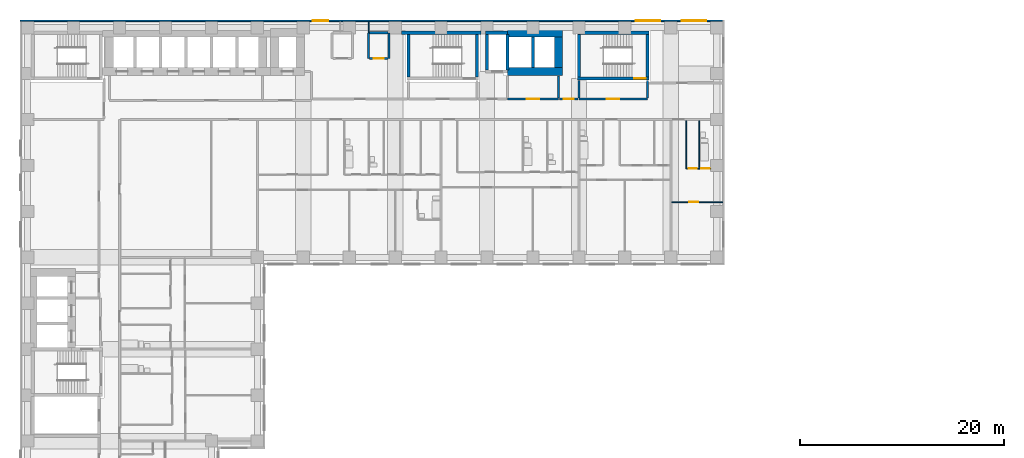
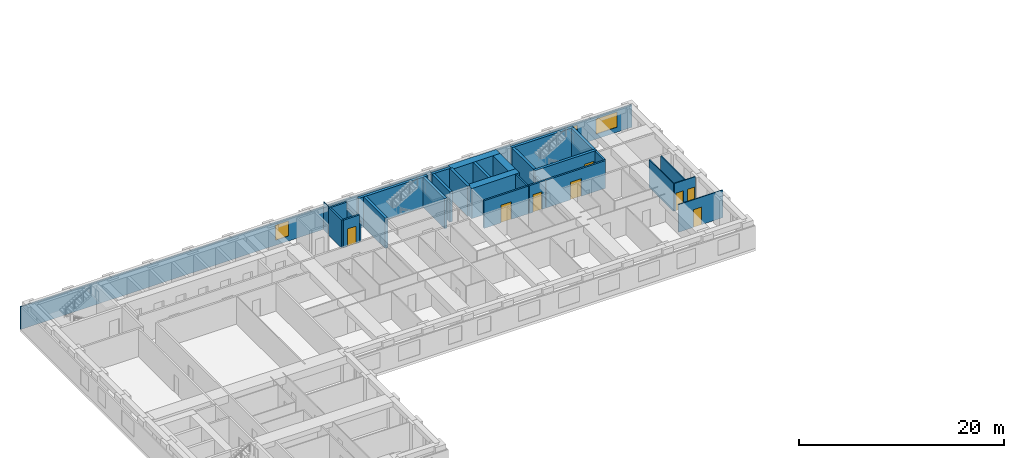
# One storey, part 10 of 14: 30 walls, 8 doors, 3 windows, 11 openings.
"""IFC4 building model written with IfcOpenShell, lengths in metres."""

from ifc_helpers import new_model, si_unit, direction, frame, frame_2d, origin, place, context, subcontext, project, spatial, rectangle, extrude, material, layer, layer_set, type_object, element, fill, save


model = new_model("IFC4")

# Units and contexts
model_context = context("Model", 3, precision=1e-05, world=origin(), true_north=direction((0.0, 1.0)))
body_context = subcontext(model_context, "Body", "Model", "MODEL_VIEW")
ifc_project = project(units=[si_unit("LENGTHUNIT", "METRE"), si_unit("AREAUNIT", "SQUARE_METRE"), si_unit("VOLUMEUNIT", "CUBIC_METRE"), si_unit("PLANEANGLEUNIT", "RADIAN"), si_unit("MASSUNIT", "GRAM", prefix="KILO")], contexts=[model_context])

# Site, building, storey
site_placement = place(None, origin())
site = spatial("IfcSite", under=ifc_project, at=site_placement, CompositionType="ELEMENT")
building_placement = place(site_placement, origin())
building = spatial("IfcBuilding", under=site, at=building_placement, Name="Firuza Court", CompositionType="ELEMENT")
storey_placement = place(building_placement, frame((0.0, 0.0, 32.60009765625)))
storey = spatial("IfcBuildingStorey", under=building, at=storey_placement, Name="L06", CompositionType="ELEMENT", Elevation=32.60009765625)

# Walls
ifc_material_1 = material(Name="Moisture-resistant gypsum board partition")
ifc_layer_1 = layer(ifc_material_1, 0.10009765625)
ifc_layer_set_1 = layer_set([ifc_layer_1], Name="Moisture-resistant gypsum board partition")
wall_type_1 = type_object("IfcWallType", Name="Bathroom partition 100", PredefinedType="PLUMBINGWALL", material=ifc_layer_set_1)
wall_1_placement = place(storey_placement, frame((65.800048828125, 44.75, 0.0), z_axis=(0.0, 0.0, 1.0), x_axis=(0.0, 1.0, 0.0)))
element("IfcWall", 1, at=wall_1_placement, inside=storey, type_object=wall_type_1, Name="Bathroom partition 100 L06", PredefinedType="PLUMBINGWALL", context=body_context, shape_type="SweptSolid", body=[
    extrude(rectangle(XDim=4.64990234375, YDim=0.10009765625, at=frame_2d((2.324951171875, 0.0))), origin(), (0.0, 0.0, 1.0), 3.2998046875),
])
ifc_material_2 = material(Name="Concrete C60/75", Category="concrete")
ifc_layer_2 = layer(ifc_material_2, 0.300048828125)
ifc_layer_set_2 = layer_set([ifc_layer_2], Name="Concrete C60/75")
wall_type_2 = type_object("IfcWallType", Name="Core wall 300 C60/75", PredefinedType="SHEAR", material=ifc_layer_set_2)
wall_2_placement = place(storey_placement, frame((36.60009765625, 58.0, -0.300048828125), z_axis=(0.0, 0.0, 1.0), x_axis=(1.0, 0.0, 0.0)))
element("IfcWall", 2, at=wall_2_placement, inside=storey, type_object=wall_type_2, Name="Core wall stair L06", PredefinedType="SHEAR", context=body_context, shape_type="SweptSolid", body=[
    extrude(rectangle(XDim=7.7998046875, YDim=0.300048828125, at=frame_2d((3.89990234375, 0.0))), origin(), (0.0, 0.0, 1.0), 3.599853515625),
])
for number, where, z_axis, x_axis, name in (
    (3, (37.300048828125, 53.64990234375, -0.300048828125), (0.0, 0.0, 1.0), (0.0, 1.0, 0.0), "Core wall stair L06"),
    (4, (44.0, 53.64990234375, -0.300048828125), (0.0, 0.0, 1.0), (0.0, 1.0, 0.0), "Core wall stair L06"),
):
    element("IfcWall", number, at=place(storey_placement, frame(where, z_axis=z_axis, x_axis=x_axis)), inside=storey, type_object=wall_type_2, Name=name, PredefinedType="SHEAR", context=body_context, shape_type="SweptSolid", body=[
        extrude(rectangle(XDim=4.2001953125, YDim=0.300048828125, at=frame_2d((2.10009765625, 0.0))), origin(), (0.0, 0.0, 1.0), 3.599853515625),
    ])
wall_3_placement = place(storey_placement, frame((44.85009765625, 58.0, -0.300048828125), z_axis=(0.0, 0.0, 1.0), x_axis=(1.0, 0.0, 0.0)))
element("IfcWall", 5, at=wall_3_placement, inside=storey, type_object=wall_type_2, Name="Core wall riser L06", PredefinedType="SHEAR", context=body_context, shape_type="SweptSolid", body=[
    extrude(rectangle(XDim=2.14990234375, YDim=0.300048828125, at=frame_2d((1.074951171875, 0.0))), origin(), (0.0, 0.0, 1.0), 3.599853515625),
])
for number, where, z_axis, x_axis, name in (
    (6, (45.0, 54.35009765625, -0.300048828125), (0.0, 0.0, 1.0), (0.0, 1.0, 0.0), "Core wall riser L06"),
    (7, (47.0, 54.35009765625, -0.300048828125), (0.0, 0.0, 1.0), (0.0, 1.0, 0.0), "Core wall lift shaft L06"),
):
    element("IfcWall", number, at=place(storey_placement, frame(where, z_axis=z_axis, x_axis=x_axis)), inside=storey, type_object=wall_type_2, Name=name, PredefinedType="SHEAR", context=body_context, shape_type="SweptSolid", body=[
        extrude(rectangle(XDim=3.5, YDim=0.300048828125, at=frame_2d((1.75, 0.0))), origin(), (0.0, 0.0, 1.0), 3.599853515625),
    ])
wall_4_placement = place(storey_placement, frame((49.5, 54.60009765625, -0.300048828125), z_axis=(0.0, 0.0, 1.0), x_axis=(0.0, 1.0, 0.0)))
element("IfcWall", 8, at=wall_4_placement, inside=storey, type_object=wall_type_2, Name="Core wall lift shaft L06", PredefinedType="SHEAR", context=body_context, shape_type="SweptSolid", body=[
    extrude(rectangle(XDim=3.0, YDim=0.300048828125, at=frame_2d((1.5, 0.0))), origin(), (0.0, 0.0, 1.0), 3.599853515625),
])

# Wall, opening, door
wall_5_placement = place(storey_placement, frame((53.85009765625, 53.5, -0.300048828125), z_axis=(0.0, 0.0, 1.0), x_axis=(1.0, 0.0, 0.0)))
wall_5 = element("IfcWall", 9, at=wall_5_placement, inside=storey, type_object=wall_type_2, Name="Core wall stair L06", PredefinedType="SHEAR", context=body_context, shape_type="SweptSolid", body=[
    extrude(rectangle(XDim=7.0, YDim=0.300048828125, at=frame_2d((3.5, 0.0))), origin(), (0.0, 0.0, 1.0), 3.599853515625),
])
opening_1_placement = place(wall_5_placement, frame((5.580078125, 0.0, 0.300048828125)))
opening_1 = element("IfcOpeningElement", 10, at=opening_1_placement, cuts=wall_5, Name="Opening D06017", PredefinedType="OPENING", context=body_context, shape_type="SweptSolid", body=[
    extrude(rectangle(XDim=1.10009765625, YDim=2.10009765625, at=frame_2d((0.550048828125, 1.050048828125))), frame((0.0, 0.162109375, 0.0), z_axis=(0.0, -1.0, 0.0), x_axis=(1.0, 0.0, 0.0)), (0.0, 0.0, 1.0), 0.323974609375),
])
ifc_material_3 = material(Name="Timber door leaf in hardwood frame", Category="wood")
door_type_1 = type_object("IfcDoorType", Name="Stair door 1100", OperationType="SINGLE_SWING_LEFT", PredefinedType="DOOR", material=ifc_material_3)
door_1_placement = place(opening_1_placement, origin())
door_1 = element("IfcDoor", 11, at=door_1_placement, inside=storey, type_object=door_type_1, Name="Stair door S4", OperationType="SINGLE_SWING_RIGHT", OverallHeight=2.10009765625, OverallWidth=1.10009765625, PredefinedType="DOOR", context=body_context, shape_type="SweptSolid", body=[
    extrude(rectangle(XDim=1.10009765625, YDim=2.10009765625, at=frame_2d((0.550048828125, 1.050048828125))), frame((0.0, 0.02490234375, 0.0), z_axis=(0.0, -1.0, 0.0), x_axis=(1.0, 0.0, 0.0)), (0.0, 0.0, 1.0), 0.050048828125),
])
fill(opening_1, door_1)

# Walls
wall_6_placement = place(storey_placement, frame((53.85009765625, 58.0, -0.300048828125), z_axis=(0.0, 0.0, 1.0), x_axis=(1.0, 0.0, 0.0)))
element("IfcWall", 12, at=wall_6_placement, inside=storey, type_object=wall_type_2, Name="Core wall stair L06", PredefinedType="SHEAR", context=body_context, shape_type="SweptSolid", body=[
    extrude(rectangle(XDim=7.0, YDim=0.300048828125, at=frame_2d((3.5, 0.0))), origin(), (0.0, 0.0, 1.0), 3.599853515625),
])
for number, where, z_axis, x_axis, name in (
    (13, (54.0, 53.64990234375, -0.300048828125), (0.0, 0.0, 1.0), (0.0, 1.0, 0.0), "Core wall stair L06"),
    (14, (60.699951171875, 53.64990234375, -0.300048828125), (0.0, 0.0, 1.0), (0.0, 1.0, 0.0), "Core wall stair L06"),
):
    element("IfcWall", number, at=place(storey_placement, frame(where, z_axis=z_axis, x_axis=x_axis)), inside=storey, type_object=wall_type_2, Name=name, PredefinedType="SHEAR", context=body_context, shape_type="SweptSolid", body=[
        extrude(rectangle(XDim=4.2001953125, YDim=0.300048828125, at=frame_2d((2.10009765625, 0.0))), origin(), (0.0, 0.0, 1.0), 3.599853515625),
    ])
ifc_layer_3 = layer(ifc_material_2, 0.800048828125)
ifc_layer_set_3 = layer_set([ifc_layer_3], Name="Concrete C60/75")
wall_type_3 = type_object("IfcWallType", Name="Core wall 800 C60/75", PredefinedType="SHEAR", material=ifc_layer_set_3)
for number, where, z_axis, x_axis, name in (
    (15, (47.0, 54.199951171875, -0.300048828125), (0.0, 0.0, 1.0), (1.0, 0.0, 0.0), "Core wall lift shaft L06"),
    (16, (47.0, 58.0, -0.300048828125), (0.0, 0.0, 1.0), (1.0, 0.0, 0.0), "Core wall lift shaft L06"),
):
    element("IfcWall", number, at=place(storey_placement, frame(where, z_axis=z_axis, x_axis=x_axis)), inside=storey, type_object=wall_type_3, Name=name, PredefinedType="SHEAR", context=body_context, shape_type="SweptSolid", body=[
        extrude(rectangle(XDim=5.39990234375, YDim=0.800048828125, at=frame_2d((2.699951171875, 0.0))), origin(), (0.0, 0.0, 1.0), 3.599853515625),
    ])
wall_7_placement = place(storey_placement, frame((52.0, 54.60009765625, -0.300048828125), z_axis=(0.0, 0.0, 1.0), x_axis=(0.0, 1.0, 0.0)))
element("IfcWall", 17, at=wall_7_placement, inside=storey, type_object=wall_type_3, Name="Core wall lift shaft L06", PredefinedType="SHEAR", context=body_context, shape_type="SweptSolid", body=[
    extrude(rectangle(XDim=3.0, YDim=0.800048828125, at=frame_2d((1.5, 0.0))), origin(), (0.0, 0.0, 1.0), 3.599853515625),
])

# Wall, opening, door
ifc_material_4 = material(Name="Blockwork, plastered both sides", Category="masonry")
ifc_layer_4 = layer(ifc_material_4, 0.199951171875)
ifc_layer_set_4 = layer_set([ifc_layer_4], Name="Blockwork, plastered both sides")
wall_type_4 = type_object("IfcWallType", Name="Corridor wall 200", PredefinedType="PARTITIONING", material=ifc_layer_set_4)
wall_8_placement = place(storey_placement, frame((52.10009765625, 51.5, 0.0), z_axis=(0.0, 0.0, 1.0), x_axis=(1.0, 0.0, 0.0)))
wall_8 = element("IfcWall", 18, at=wall_8_placement, inside=storey, type_object=wall_type_4, Name="Corridor wall 200 L06", PredefinedType="PARTITIONING", context=body_context, shape_type="SweptSolid", body=[
    extrude(rectangle(XDim=1.7998046875, YDim=0.199951171875, at=frame_2d((0.89990234375, 0.0))), origin(), (0.0, 0.0, 1.0), 3.2998046875),
])
opening_2_placement = place(wall_8_placement, frame((0.39990234375, 0.0, 0.0)))
opening_2 = element("IfcOpeningElement", 19, at=opening_2_placement, cuts=wall_8, Name="Opening D06073", PredefinedType="OPENING", context=body_context, shape_type="SweptSolid", body=[
    extrude(rectangle(XDim=1.0, YDim=2.10009765625, at=frame_2d((0.5, 1.050048828125))), frame((0.0, 0.11181640625, 0.0), z_axis=(0.0, -1.0, 0.0), x_axis=(1.0, 0.0, 0.0)), (0.0, 0.0, 1.0), 0.223876953125),
])
ifc_material_5 = material(Name="Timber door leaf in hardwood frame", Category="wood")
door_type_2 = type_object("IfcDoorType", Name="Store door 1000", OperationType="SINGLE_SWING_LEFT", PredefinedType="DOOR", material=ifc_material_5)
door_2_placement = place(opening_2_placement, origin())
door_2 = element("IfcDoor", 20, at=door_2_placement, inside=storey, type_object=door_type_2, Name="Parcel room door", OperationType="SINGLE_SWING_LEFT", OverallHeight=2.10009765625, OverallWidth=1.0, PredefinedType="DOOR", context=body_context, shape_type="SweptSolid", body=[
    extrude(rectangle(XDim=1.0, YDim=2.10009765625, at=frame_2d((0.5, 1.050048828125))), frame((0.0, 0.02490234375, 0.0), z_axis=(0.0, -1.0, 0.0), x_axis=(1.0, 0.0, 0.0)), (0.0, 0.0, 1.0), 0.050048828125),
])
fill(opening_2, door_2)

ifc_material_6 = material(Name="Timber stud partition, plasterboard both sides", Category="wood")
ifc_layer_5 = layer(ifc_material_6, 0.10009765625)
ifc_layer_set_5 = layer_set([ifc_layer_5], Name="Timber stud partition, plasterboard both sides")
wall_type_5 = type_object("IfcWallType", Name="Partition wall 100", PredefinedType="PARTITIONING", material=ifc_layer_set_5)
wall_9_placement = place(storey_placement, frame((63.10009765625, 41.39990234375, 0.0), z_axis=(0.0, 0.0, 1.0), x_axis=(1.0, 0.0, 0.0)))
wall_9 = element("IfcWall", 21, at=wall_9_placement, inside=storey, type_object=wall_type_5, Name="Partition wall 100 L06", PredefinedType="PARTITIONING", context=body_context, shape_type="SweptSolid", body=[
    extrude(rectangle(XDim=5.0, YDim=0.10009765625, at=frame_2d((2.5, 0.0))), origin(), (0.0, 0.0, 1.0), 3.2998046875),
])
opening_3_placement = place(wall_9_placement, frame((1.699951171875, 0.0, 0.0)))
opening_3 = element("IfcOpeningElement", 22, at=opening_3_placement, cuts=wall_9, Name="Opening D06043", PredefinedType="OPENING", context=body_context, shape_type="SweptSolid", body=[
    extrude(rectangle(XDim=0.89990234375, YDim=2.10009765625, at=frame_2d((0.449951171875, 1.050048828125))), frame((0.0, 0.06201171875, 0.0), z_axis=(0.0, -1.0, 0.0), x_axis=(1.0, 0.0, 0.0)), (0.0, 0.0, 1.0), 0.1240234375),
])
ifc_material_7 = material(Name="Timber door leaf in hardwood frame", Category="wood")
door_type_3 = type_object("IfcDoorType", Name="Room door 900", OperationType="SINGLE_SWING_LEFT", PredefinedType="DOOR", material=ifc_material_7)
door_3_placement = place(opening_3_placement, frame((0.89990234375, 0.0, 0.0), z_axis=(0.0, 0.0, 1.0), x_axis=(-1.0, 0.0, 0.0)))
door_3 = element("IfcDoor", 23, at=door_3_placement, inside=storey, type_object=door_type_3, Name="Studio room door", OperationType="SINGLE_SWING_RIGHT", OverallHeight=2.10009765625, OverallWidth=0.89990234375, PredefinedType="DOOR", context=body_context, shape_type="SweptSolid", body=[
    extrude(rectangle(XDim=0.89990234375, YDim=2.10009765625, at=frame_2d((0.449951171875, 1.050048828125))), frame((0.0, 0.02490234375, 0.0), z_axis=(0.0, -1.0, 0.0), x_axis=(1.0, 0.0, 0.0)), (0.0, 0.0, 1.0), 0.050048828125),
])
fill(opening_3, door_3)

# Wall
wall_10_placement = place(storey_placement, frame((64.5, 44.699951171875, 0.0), z_axis=(0.0, 0.0, 1.0), x_axis=(0.0, 1.0, 0.0)))
element("IfcWall", 24, at=wall_10_placement, inside=storey, type_object=wall_type_5, Name="Partition wall 100 L06", PredefinedType="PARTITIONING", context=body_context, shape_type="SweptSolid", body=[
    extrude(rectangle(XDim=4.699951171875, YDim=0.10009765625, at=frame_2d((2.35009765625, 0.0))), origin(), (0.0, 0.0, 1.0), 3.2998046875),
])

# Wall, openings, doors
wall_11_placement = place(storey_placement, frame((64.550048828125, 44.699951171875, 0.0), z_axis=(0.0, 0.0, 1.0), x_axis=(1.0, 0.0, 0.0)))
wall_11 = element("IfcWall", 25, at=wall_11_placement, inside=storey, type_object=wall_type_5, Name="Partition wall 100 L06", PredefinedType="PARTITIONING", context=body_context, shape_type="SweptSolid", body=[
    extrude(rectangle(XDim=2.349853515625, YDim=0.10009765625, at=frame_2d((1.1748046875, 0.0))), origin(), (0.0, 0.0, 1.0), 3.2998046875),
])
opening_4_placement = place(wall_11_placement, frame((1.449951171875, 0.0, 0.0)))
opening_4 = element("IfcOpeningElement", 26, at=opening_4_placement, cuts=wall_11, Name="Opening D06061", PredefinedType="OPENING", context=body_context, shape_type="SweptSolid", body=[
    extrude(rectangle(XDim=0.800048828125, YDim=2.10009765625, at=frame_2d((0.39990234375, 1.050048828125))), frame((0.0, 0.06201171875, 0.0), z_axis=(0.0, -1.0, 0.0), x_axis=(1.0, 0.0, 0.0)), (0.0, 0.0, 1.0), 0.1240234375),
])
opening_5_placement = place(wall_11_placement, frame((0.199951171875, 0.0, 0.0)))
opening_5 = element("IfcOpeningElement", 27, at=opening_5_placement, cuts=wall_11, Name="Opening D06062", PredefinedType="OPENING", context=body_context, shape_type="SweptSolid", body=[
    extrude(rectangle(XDim=0.800048828125, YDim=2.10009765625, at=frame_2d((0.39990234375, 1.050048828125))), frame((0.0, 0.06201171875, 0.0), z_axis=(0.0, -1.0, 0.0), x_axis=(1.0, 0.0, 0.0)), (0.0, 0.0, 1.0), 0.1240234375),
])
ifc_material_8 = material(Name="Timber door leaf in hardwood frame", Category="wood")
door_type_4 = type_object("IfcDoorType", Name="Bathroom door 800", OperationType="SINGLE_SWING_LEFT", PredefinedType="DOOR", material=ifc_material_8)
door_4_placement = place(opening_4_placement, origin())
door_4 = element("IfcDoor", 28, at=door_4_placement, inside=storey, type_object=door_type_4, Name="Bathroom door", OperationType="SINGLE_SWING_RIGHT", OverallHeight=2.10009765625, OverallWidth=0.800048828125, PredefinedType="DOOR", context=body_context, shape_type="SweptSolid", body=[
    extrude(rectangle(XDim=0.800048828125, YDim=2.10009765625, at=frame_2d((0.39990234375, 1.050048828125))), frame((0.0, 0.02490234375, 0.0), z_axis=(0.0, -1.0, 0.0), x_axis=(1.0, 0.0, 0.0)), (0.0, 0.0, 1.0), 0.050048828125),
])
fill(opening_4, door_4)
ifc_material_9 = material(Name="Timber door leaf in hardwood frame", Category="wood")
door_type_5 = type_object("IfcDoorType", Name="Room door 800", OperationType="SINGLE_SWING_LEFT", PredefinedType="DOOR", material=ifc_material_9)
door_5_placement = place(opening_5_placement, origin())
door_5 = element("IfcDoor", 29, at=door_5_placement, inside=storey, type_object=door_type_5, Name="Kitchen door", OperationType="SINGLE_SWING_LEFT", OverallHeight=2.10009765625, OverallWidth=0.800048828125, PredefinedType="DOOR", context=body_context, shape_type="SweptSolid", body=[
    extrude(rectangle(XDim=0.800048828125, YDim=2.10009765625, at=frame_2d((0.39990234375, 1.050048828125))), frame((0.0, 0.02490234375, 0.0), z_axis=(0.0, -1.0, 0.0), x_axis=(1.0, 0.0, 0.0)), (0.0, 0.0, 1.0), 0.050048828125),
])
fill(opening_5, door_5)

# Walls
wall_12_placement = place(storey_placement, frame((33.39990234375, 58.0, 0.0), z_axis=(0.0, 0.0, 1.0), x_axis=(0.0, 1.0, 0.0)))
element("IfcWall", 30, at=wall_12_placement, inside=storey, type_object=wall_type_5, Name="Partition wall 100 L06", PredefinedType="PARTITIONING", context=body_context, shape_type="SweptSolid", body=[
    extrude(rectangle(XDim=1.10009765625, YDim=0.10009765625, at=frame_2d((0.550048828125, 0.0))), origin(), (0.0, 0.0, 1.0), 3.2998046875),
])
ifc_material_10 = material(Name="Blockwork, fire-rated", Category="masonry")
ifc_layer_6 = layer(ifc_material_10, 0.199951171875)
ifc_layer_set_6 = layer_set([ifc_layer_6], Name="Blockwork, fire-rated")
wall_type_6 = type_object("IfcWallType", Name="Plant room wall 200", PredefinedType="PARTITIONING", material=ifc_layer_set_6)
wall_13_placement = place(storey_placement, frame((33.39990234375, 55.5, 0.0), z_axis=(0.0, 0.0, 1.0), x_axis=(0.0, 1.0, 0.0)))
element("IfcWall", 31, at=wall_13_placement, inside=storey, type_object=wall_type_6, Name="Plant room wall 200 L06", PredefinedType="PARTITIONING", context=body_context, shape_type="SweptSolid", body=[
    extrude(rectangle(XDim=2.5, YDim=0.199951171875, at=frame_2d((1.25, 0.0))), origin(), (0.0, 0.0, 1.0), 3.2998046875),
])

# Wall, opening, door
wall_14_placement = place(storey_placement, frame((33.5, 55.5, 0.0), z_axis=(0.0, 0.0, 1.0), x_axis=(1.0, 0.0, 0.0)))
wall_14 = element("IfcWall", 32, at=wall_14_placement, inside=storey, type_object=wall_type_6, Name="Plant room wall 200 L06", PredefinedType="PARTITIONING", context=body_context, shape_type="SweptSolid", body=[
    extrude(rectangle(XDim=1.800048828125, YDim=0.199951171875, at=frame_2d((0.89990234375, 0.0))), origin(), (0.0, 0.0, 1.0), 3.2998046875),
])
opening_6_placement = place(wall_14_placement, frame((0.39990234375, 0.0, 0.0)))
opening_6 = element("IfcOpeningElement", 33, at=opening_6_placement, cuts=wall_14, Name="Opening D06076", PredefinedType="OPENING", context=body_context, shape_type="SweptSolid", body=[
    extrude(rectangle(XDim=1.0, YDim=2.10009765625, at=frame_2d((0.5, 1.050048828125))), frame((0.0, 0.11181640625, 0.0), z_axis=(0.0, -1.0, 0.0), x_axis=(1.0, 0.0, 0.0)), (0.0, 0.0, 1.0), 0.223876953125),
])
ifc_material_11 = material(Name="Timber door leaf in hardwood frame", Category="wood")
door_type_6 = type_object("IfcDoorType", Name="Riser door 1000", OperationType="SINGLE_SWING_LEFT", PredefinedType="DOOR", material=ifc_material_11)
door_6_placement = place(opening_6_placement, origin())
door_6 = element("IfcDoor", 34, at=door_6_placement, inside=storey, type_object=door_type_6, Name="Duct riser door", OperationType="SINGLE_SWING_LEFT", OverallHeight=2.10009765625, OverallWidth=1.0, PredefinedType="DOOR", context=body_context, shape_type="SweptSolid", body=[
    extrude(rectangle(XDim=1.0, YDim=2.10009765625, at=frame_2d((0.5, 1.050048828125))), frame((0.0, 0.02490234375, 0.0), z_axis=(0.0, -1.0, 0.0), x_axis=(1.0, 0.0, 0.0)), (0.0, 0.0, 1.0), 0.050048828125),
])
fill(opening_6, door_6)

# Walls
wall_15_placement = place(storey_placement, frame((35.39990234375, 55.5, 0.0), z_axis=(0.0, 0.0, 1.0), x_axis=(0.0, 1.0, 0.0)))
element("IfcWall", 35, at=wall_15_placement, inside=storey, type_object=wall_type_6, Name="Plant room wall 200 L06", PredefinedType="PARTITIONING", context=body_context, shape_type="SweptSolid", body=[
    extrude(rectangle(XDim=2.5, YDim=0.199951171875, at=frame_2d((1.25, 0.0))), origin(), (0.0, 0.0, 1.0), 2.39990234375),
])
wall_16_placement = place(storey_placement, frame((33.5, 58.0, 0.0), z_axis=(0.0, 0.0, 1.0), x_axis=(1.0, 0.0, 0.0)))
element("IfcWall", 36, at=wall_16_placement, inside=storey, type_object=wall_type_6, Name="Plant room wall 200 L06", PredefinedType="PARTITIONING", context=body_context, shape_type="SweptSolid", body=[
    extrude(rectangle(XDim=1.800048828125, YDim=0.199951171875, at=frame_2d((0.89990234375, 0.0))), origin(), (0.0, 0.0, 1.0), 3.2998046875),
])

# Wall, openings, windows
ifc_material_12 = material(Name="Ceramic tile", Category="ceramic")
ifc_layer_7 = layer(ifc_material_12, 0.02001953125)
ifc_material_13 = material(Name="Mineral wool insulation", Category="insulation")
ifc_layer_8 = layer(ifc_material_13, 0.050048828125)
ifc_material_14 = material(Name="Concrete C40/50 precast", Category="concrete")
ifc_layer_9 = layer(ifc_material_14, 0.080078125)
ifc_layer_set_7 = layer_set([ifc_layer_7, ifc_layer_8, ifc_layer_9], Name="Concrete C40/50 precast")
wall_type_7 = type_object("IfcWallType", Name="Precast cladding wall with turquoise TILE PANEL face 150", PredefinedType="STANDARD", material=ifc_layer_set_7)
wall_17_placement = place(storey_placement, frame((68.10009765625, 59.175048828125, 0.0), z_axis=(0.0, 0.0, 1.0), x_axis=(-1.0, 0.0, 0.0)))
wall_17 = element("IfcWall", 37, at=wall_17_placement, inside=storey, type_object=wall_type_7, Name="Facade wall L06 N", PredefinedType="STANDARD", context=body_context, shape_type="SweptSolid", body=[
    extrude(rectangle(XDim=68.85009765625, YDim=0.14990234375, at=frame_2d((34.425048828125, 0.0))), origin(), (0.0, 0.0, 1.0), 2.699951171875),
])
opening_7_placement = place(wall_17_placement, frame((1.64990234375, 0.0, 0.60009765625)))
opening_7 = element("IfcOpeningElement", 38, at=opening_7_placement, cuts=wall_17, Name="Opening W1", PredefinedType="OPENING", context=body_context, shape_type="SweptSolid", body=[
    extrude(rectangle(XDim=2.39990234375, YDim=1.800048828125, at=frame_2d((1.199951171875, 0.89990234375))), frame((0.0, 0.0869140625, 0.0), z_axis=(0.0, -1.0, 0.0), x_axis=(1.0, 0.0, 0.0)), (0.0, 0.0, 1.0), 0.173828125),
])
opening_8_placement = place(wall_17_placement, frame((6.14990234375, 0.0, 0.60009765625)))
opening_8 = element("IfcOpeningElement", 39, at=opening_8_placement, cuts=wall_17, Name="Opening W1", PredefinedType="OPENING", context=body_context, shape_type="SweptSolid", body=[
    extrude(rectangle(XDim=2.39990234375, YDim=1.800048828125, at=frame_2d((1.199951171875, 0.89990234375))), frame((0.0, 0.0869140625, 0.0), z_axis=(0.0, -1.0, 0.0), x_axis=(1.0, 0.0, 0.0)), (0.0, 0.0, 1.0), 0.173828125),
])
opening_9_placement = place(wall_17_placement, frame((38.67041015625, 0.0, 0.60009765625)))
opening_9 = element("IfcOpeningElement", 40, at=opening_9_placement, cuts=wall_17, Name="Opening W2", PredefinedType="OPENING", context=body_context, shape_type="SweptSolid", body=[
    extrude(rectangle(XDim=1.5, YDim=1.800048828125, at=frame_2d((0.75, 0.89990234375))), frame((0.0, 0.0869140625, 0.0), z_axis=(0.0, -1.0, 0.0), x_axis=(1.0, 0.0, 0.0)), (0.0, 0.0, 1.0), 0.173828125),
])
ifc_material_15 = material(Name="Aluminium frame, triple clear glazing", Category="aluminium")
window_type_1 = type_object("IfcWindowType", Name="Window W1 2400 x 1800", PartitioningType="SINGLE_PANEL", PredefinedType="WINDOW", material=ifc_material_15)
window_1_placement = place(opening_7_placement, origin())
window_1 = element("IfcWindow", 41, at=window_1_placement, inside=storey, type_object=window_type_1, Name="Window L06", OverallHeight=1.800048828125, OverallWidth=2.39990234375, PartitioningType="SINGLE_PANEL", PredefinedType="WINDOW", context=body_context, shape_type="SweptSolid", body=[
    extrude(rectangle(XDim=2.39990234375, YDim=1.800048828125, at=frame_2d((1.199951171875, 0.89990234375))), frame((0.0, 0.030029296875, 0.0), z_axis=(0.0, -1.0, 0.0), x_axis=(1.0, 0.0, 0.0)), (0.0, 0.0, 1.0), 0.06005859375),
])
fill(opening_7, window_1)
window_2_placement = place(opening_8_placement, origin())
window_2 = element("IfcWindow", 42, at=window_2_placement, inside=storey, type_object=window_type_1, Name="Window L06", OverallHeight=1.800048828125, OverallWidth=2.39990234375, PartitioningType="SINGLE_PANEL", PredefinedType="WINDOW", context=body_context, shape_type="SweptSolid", body=[
    extrude(rectangle(XDim=2.39990234375, YDim=1.800048828125, at=frame_2d((1.199951171875, 0.89990234375))), frame((0.0, 0.030029296875, 0.0), z_axis=(0.0, -1.0, 0.0), x_axis=(1.0, 0.0, 0.0)), (0.0, 0.0, 1.0), 0.06005859375),
])
fill(opening_8, window_2)
ifc_material_16 = material(Name="Aluminium frame, triple clear glazing", Category="aluminium")
window_type_2 = type_object("IfcWindowType", Name="Window W2 1500 x 1800", PartitioningType="SINGLE_PANEL", PredefinedType="WINDOW", material=ifc_material_16)
window_3_placement = place(opening_9_placement, origin())
window_3 = element("IfcWindow", 43, at=window_3_placement, inside=storey, type_object=window_type_2, Name="Window L06", OverallHeight=1.800048828125, OverallWidth=1.5, PartitioningType="SINGLE_PANEL", PredefinedType="WINDOW", context=body_context, shape_type="SweptSolid", body=[
    extrude(rectangle(XDim=1.5, YDim=1.800048828125, at=frame_2d((0.75, 0.89990234375))), frame((0.0, 0.030029296875, 0.0), z_axis=(0.0, -1.0, 0.0), x_axis=(1.0, 0.0, 0.0)), (0.0, 0.0, 1.0), 0.06005859375),
])
fill(opening_9, window_3)

# Wall, opening, door
ifc_layer_10 = layer(ifc_material_10, 0.199951171875)
ifc_layer_set_8 = layer_set([ifc_layer_10], Name="Blockwork, fire-rated")
wall_type_8 = type_object("IfcWallType", Name="Shaft wall 200", PredefinedType="PARTITIONING", material=ifc_layer_set_8)
wall_18_placement = place(storey_placement, frame((47.0, 51.5, 0.0), z_axis=(0.0, 0.0, 1.0), x_axis=(1.0, 0.0, 0.0)))
wall_18 = element("IfcWall", 44, at=wall_18_placement, inside=storey, type_object=wall_type_8, Name="Shaft wall 200 L06", PredefinedType="PARTITIONING", context=body_context, shape_type="SweptSolid", body=[
    extrude(rectangle(XDim=5.0, YDim=0.199951171875, at=frame_2d((2.5, 0.0))), origin(), (0.0, 0.0, 1.0), 3.2998046875),
])
opening_10_placement = place(wall_18_placement, frame((1.89990234375, 0.0, 0.0)))
opening_10 = element("IfcOpeningElement", 45, at=opening_10_placement, cuts=wall_18, Name="Opening D06009", PredefinedType="OPENING", context=body_context, shape_type="SweptSolid", body=[
    extrude(rectangle(XDim=1.199951171875, YDim=2.10009765625, at=frame_2d((0.60009765625, 1.050048828125))), frame((0.0, 0.11181640625, 0.0), z_axis=(0.0, -1.0, 0.0), x_axis=(1.0, 0.0, 0.0)), (0.0, 0.0, 1.0), 0.223876953125),
])
ifc_material_17 = material(Name="Timber door leaf in hardwood frame", Category="wood")
door_type_7 = type_object("IfcDoorType", Name="Lobby door 1200", OperationType="SINGLE_SWING_LEFT", PredefinedType="DOOR", material=ifc_material_17)
door_7_placement = place(opening_10_placement, origin())
door_7 = element("IfcDoor", 46, at=door_7_placement, inside=storey, type_object=door_type_7, Name="Lobby door", OperationType="SINGLE_SWING_LEFT", OverallHeight=2.10009765625, OverallWidth=1.199951171875, PredefinedType="DOOR", context=body_context, shape_type="SweptSolid", body=[
    extrude(rectangle(XDim=1.199951171875, YDim=2.10009765625, at=frame_2d((0.60009765625, 1.050048828125))), frame((0.0, 0.02490234375, 0.0), z_axis=(0.0, -1.0, 0.0), x_axis=(1.0, 0.0, 0.0)), (0.0, 0.0, 1.0), 0.050048828125),
])
fill(opening_10, door_7)

# Wall
wall_19_placement = place(storey_placement, frame((52.0, 51.60009765625, 0.0), z_axis=(0.0, 0.0, 1.0), x_axis=(0.0, 1.0, 0.0)))
element("IfcWall", 47, at=wall_19_placement, inside=storey, type_object=wall_type_8, Name="Shaft wall 200 L06", PredefinedType="PARTITIONING", context=body_context, shape_type="SweptSolid", body=[
    extrude(rectangle(XDim=2.179931640625, YDim=0.199951171875, at=frame_2d((1.08984375, 0.0))), origin(), (0.0, 0.0, 1.0), 3.2998046875),
])

# Wall, opening, door
wall_20_placement = place(storey_placement, frame((54.0, 51.5, 0.0), z_axis=(0.0, 0.0, 1.0), x_axis=(1.0, 0.0, 0.0)))
wall_20 = element("IfcWall", 48, at=wall_20_placement, inside=storey, type_object=wall_type_8, Name="Shaft wall 200 L06", PredefinedType="PARTITIONING", context=body_context, shape_type="SweptSolid", body=[
    extrude(rectangle(XDim=6.699951171875, YDim=0.199951171875, at=frame_2d((3.35009765625, 0.0))), origin(), (0.0, 0.0, 1.0), 3.2998046875),
])
opening_11_placement = place(wall_20_placement, frame((2.75, 0.0, 0.0)))
opening_11 = element("IfcOpeningElement", 49, at=opening_11_placement, cuts=wall_20, Name="Opening D06007", PredefinedType="OPENING", context=body_context, shape_type="SweptSolid", body=[
    extrude(rectangle(XDim=1.199951171875, YDim=2.10009765625, at=frame_2d((0.60009765625, 1.050048828125))), frame((0.0, 0.11181640625, 0.0), z_axis=(0.0, -1.0, 0.0), x_axis=(1.0, 0.0, 0.0)), (0.0, 0.0, 1.0), 0.223876953125),
])
door_8_placement = place(opening_11_placement, origin())
door_8 = element("IfcDoor", 50, at=door_8_placement, inside=storey, type_object=door_type_7, Name="Lobby door", OperationType="SINGLE_SWING_LEFT", OverallHeight=2.10009765625, OverallWidth=1.199951171875, PredefinedType="DOOR", context=body_context, shape_type="SweptSolid", body=[
    extrude(rectangle(XDim=1.199951171875, YDim=2.10009765625, at=frame_2d((0.60009765625, 1.050048828125))), frame((0.0, 0.02490234375, 0.0), z_axis=(0.0, -1.0, 0.0), x_axis=(1.0, 0.0, 0.0)), (0.0, 0.0, 1.0), 0.050048828125),
])
fill(opening_11, door_8)

# Walls
wall_21_placement = place(storey_placement, frame((60.699951171875, 51.60009765625, 0.0), z_axis=(0.0, 0.0, 1.0), x_axis=(0.0, 1.0, 0.0)))
element("IfcWall", 51, at=wall_21_placement, inside=storey, type_object=wall_type_8, Name="Shaft wall 200 L06", PredefinedType="PARTITIONING", context=body_context, shape_type="SweptSolid", body=[
    extrude(rectangle(XDim=1.72998046875, YDim=0.199951171875, at=frame_2d((0.864990234375, 0.0))), origin(), (0.0, 0.0, 1.0), 3.2998046875),
])
wall_22_placement = place(storey_placement, frame((54.0, 51.60009765625, 0.0), z_axis=(0.0, 0.0, 1.0), x_axis=(0.0, 1.0, 0.0)))
element("IfcWall", 52, at=wall_22_placement, inside=storey, type_object=wall_type_8, Name="Shaft wall 200 L06", PredefinedType="PARTITIONING", context=body_context, shape_type="SweptSolid", body=[
    extrude(rectangle(XDim=1.72998046875, YDim=0.199951171875, at=frame_2d((0.864990234375, 0.0))), origin(), (0.0, 0.0, 1.0), 2.599853515625),
])

save(model, "model.ifc")
